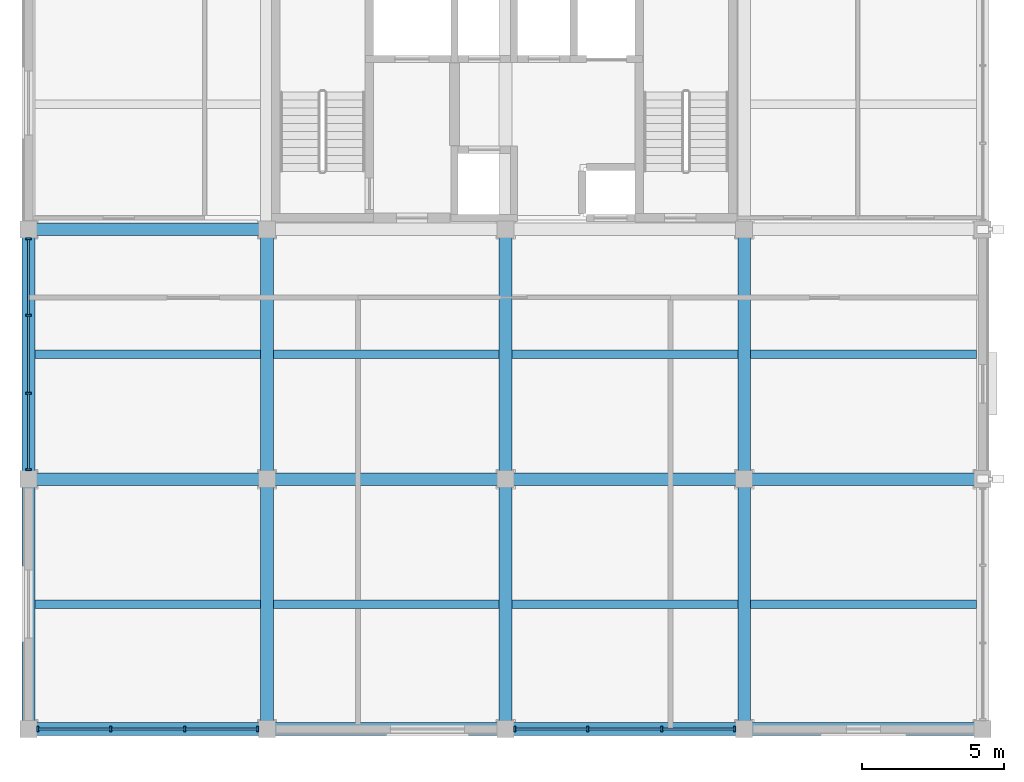
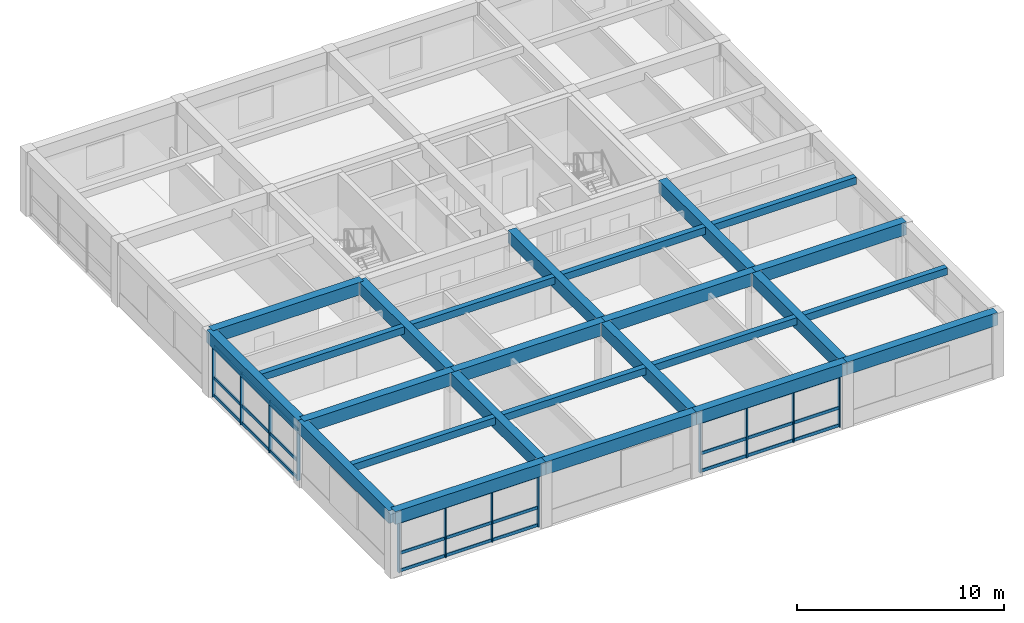
# One storey, part 2 of 12: 39 members, 25 beams, 3 elements without a shape of their own.
"""IFC4 building model written with IfcOpenShell, lengths in metres."""

from ifc_helpers import new_model, si_unit, direction, frame, origin, origin_2d, place, context, subcontext, project, spatial, rectangle, extrude, material, material_profile, profile_set, type_object, element, aggregate, save


model = new_model("IFC4")

# Units and contexts
model_context = context("Model", 3, precision=1e-05, world=origin(), true_north=direction((0.0, 1.0)))
body_context = subcontext(model_context, "Body", "Model", "MODEL_VIEW")
ifc_project = project(units=[si_unit("LENGTHUNIT", "METRE"), si_unit("AREAUNIT", "SQUARE_METRE"), si_unit("VOLUMEUNIT", "CUBIC_METRE"), si_unit("PLANEANGLEUNIT", "RADIAN"), si_unit("MASSUNIT", "GRAM", prefix="KILO")], contexts=[model_context])

# Site, building, storey
site_placement = place(None, origin())
site = spatial("IfcSite", under=ifc_project, at=site_placement, CompositionType="ELEMENT")
building_placement = place(site_placement, origin())
building = spatial("IfcBuilding", under=site, at=building_placement, Name="Kemercrest Conservatory and Botanical Centre", CompositionType="ELEMENT")
storey_placement = place(building_placement, frame((0.0, 0.0, 52.199951171875)))
storey = spatial("IfcBuildingStorey", under=building, at=storey_placement, Name="L13", CompositionType="ELEMENT", Elevation=52.199951171875)

# Beams
ifc_material_1 = material(Name="Concrete C40/50", Category="concrete")
ifc_material_profile_1 = material_profile(ifc_material_1, rectangle(XDim=0.449951171875, YDim=0.75, at=origin_2d()), Name="RC 450x750")
ifc_profile_set_1 = profile_set([ifc_material_profile_1], Name="Concrete C40/50")
beam_type_1 = type_object("IfcBeamType", Name="BM-RC75", PredefinedType="BEAM", material=ifc_profile_set_1)
beam_1_placement = place(storey_placement, frame((142.39990234375, 96.0, 3.425048828125), z_axis=(1.0, 0.0, 0.0), x_axis=(0.0, 1.0, 0.0)))
element("IfcBeam", 1, at=beam_1_placement, inside=storey, type_object=beam_type_1, Name="V4-L14 beam BM-RC75 L/17-18", PredefinedType="BEAM", context=body_context, shape_type="SweptSolid", body=[
    extrude(rectangle(XDim=0.449951171875, YDim=0.75, at=origin_2d()), origin(), (0.0, 0.0, 1.0), 8.400146484375),
])
beam_2_placement = place(storey_placement, frame((150.800048828125, 96.0, 3.425048828125), z_axis=(1.0, 0.0, 0.0), x_axis=(0.0, 1.0, 0.0)))
element("IfcBeam", 2, at=beam_2_placement, inside=storey, type_object=beam_type_1, Name="V4-L14 beam BM-RC75 L/18-19", PredefinedType="BEAM", context=body_context, shape_type="SweptSolid", body=[
    extrude(rectangle(XDim=0.449951171875, YDim=0.75, at=origin_2d()), origin(), (0.0, 0.0, 1.0), 8.39990234375),
])
beam_3_placement = place(storey_placement, frame((159.199951171875, 96.0, 3.425048828125), z_axis=(1.0, 0.0, 0.0), x_axis=(0.0, 1.0, 0.0)))
element("IfcBeam", 3, at=beam_3_placement, inside=storey, type_object=beam_type_1, Name="V4-L14 beam BM-RC75 L/19-20", PredefinedType="BEAM", context=body_context, shape_type="SweptSolid", body=[
    extrude(rectangle(XDim=0.449951171875, YDim=0.75, at=origin_2d()), origin(), (0.0, 0.0, 1.0), 8.400146484375),
])
beam_4_placement = place(storey_placement, frame((167.60009765625, 96.0, 3.425048828125), z_axis=(1.0, 0.0, 0.0), x_axis=(0.0, 1.0, 0.0)))
element("IfcBeam", 4, at=beam_4_placement, inside=storey, type_object=beam_type_1, Name="V4-L14 beam BM-RC75 L/20-21", PredefinedType="BEAM", context=body_context, shape_type="SweptSolid", body=[
    extrude(rectangle(XDim=0.449951171875, YDim=0.75, at=origin_2d()), origin(), (0.0, 0.0, 1.0), 8.39990234375),
])
beam_5_placement = place(storey_placement, frame((142.39990234375, 104.800048828125, 3.425048828125), z_axis=(1.0, 0.0, 0.0), x_axis=(0.0, 1.0, 0.0)))
element("IfcBeam", 5, at=beam_5_placement, inside=storey, type_object=beam_type_1, Name="V4-L14 beam BM-RC75 M/17-18", PredefinedType="BEAM", context=body_context, shape_type="SweptSolid", body=[
    extrude(rectangle(XDim=0.449951171875, YDim=0.75, at=origin_2d()), origin(), (0.0, 0.0, 1.0), 8.400146484375),
])
for number, where, z_axis, x_axis, name in (
    (6, (150.800048828125, 87.199951171875, 3.425048828125), (0.0, 1.0, 0.0), (-1.0, 0.0, 0.0), "V4-L14 beam BM-RC75 18/K-L"),
    (7, (150.800048828125, 96.0, 3.425048828125), (0.0, 1.0, 0.0), (-1.0, 0.0, 0.0), "V4-L14 beam BM-RC75 18/L-M"),
    (8, (159.199951171875, 87.199951171875, 3.425048828125), (0.0, 1.0, 0.0), (-1.0, 0.0, 0.0), "V4-L14 beam BM-RC75 19/K-L"),
    (9, (159.199951171875, 96.0, 3.425048828125), (0.0, 1.0, 0.0), (-1.0, 0.0, 0.0), "V4-L14 beam BM-RC75 19/L-M"),
    (10, (167.60009765625, 87.199951171875, 3.425048828125), (0.0, 1.0, 0.0), (-1.0, 0.0, 0.0), "V4-L14 beam BM-RC75 20/K-L"),
    (11, (167.60009765625, 96.0, 3.425048828125), (0.0, 1.0, 0.0), (-1.0, 0.0, 0.0), "V4-L14 beam BM-RC75 20/L-M"),
):
    element("IfcBeam", number, at=place(storey_placement, frame(where, z_axis=z_axis, x_axis=x_axis)), inside=storey, type_object=beam_type_1, Name=name, PredefinedType="BEAM", context=body_context, shape_type="SweptSolid", body=[
        extrude(rectangle(XDim=0.449951171875, YDim=0.75, at=origin_2d()), origin(), (0.0, 0.0, 1.0), 8.800048828125),
    ])

# Curtain wall, members
ifc_material_2 = material(Name="Thermally broken aluminium and triple low-e glazing", Category="aluminium")
curtain_wall_type_1 = type_object("IfcCurtainWallType", Name="CW-14", PredefinedType="USERDEFINED", material=ifc_material_2)
curtain_wall_1_placement = place(storey_placement, origin())
curtain_wall_1 = element("IfcCurtainWall", 12, at=curtain_wall_1_placement, inside=storey, type_object=curtain_wall_type_1, Name="Unitised curtain wall CW-14 (CW:L13:V4-133)", ObjectType="UNITISED CURTAIN WALL", PredefinedType="USERDEFINED")
ifc_material_3 = material(Name="Thermally broken anodized aluminium 6063-T6", Category="aluminium")
ifc_material_profile_2 = material_profile(ifc_material_3, rectangle(XDim=0.199951171875, YDim=0.06494140625, at=origin_2d()), Name="AL MULLION 65x200")
ifc_profile_set_2 = profile_set([ifc_material_profile_2], Name="Thermally broken anodized aluminium 6063-T6")
member_type_1 = type_object("IfcMemberType", Name="CW-M200", PredefinedType="MULLION", material=ifc_profile_set_2)
member_1_placement = place(storey_placement, frame((142.7275390625, 87.199951171875, 0.0), z_axis=(0.0, 0.0, 1.0), x_axis=(0.0, 1.0, 0.0)))
member_1 = element("IfcMember", 13, at=member_1_placement, type_object=member_type_1, Name="CW-14 mullion 1", PredefinedType="MULLION", context=body_context, shape_type="SweptSolid", body=[
    extrude(rectangle(XDim=0.199951171875, YDim=0.06494140625, at=origin_2d()), origin(), (0.0, 0.0, 1.0), 3.054931640625),
])
member_2_placement = place(storey_placement, frame((145.29833984375, 87.199951171875, 0.0), z_axis=(0.0, 0.0, 1.0), x_axis=(0.0, 1.0, 0.0)))
member_2 = element("IfcMember", 14, at=member_2_placement, type_object=member_type_1, Name="CW-14 mullion 2", PredefinedType="MULLION", context=body_context, shape_type="SweptSolid", body=[
    extrude(rectangle(XDim=0.199951171875, YDim=0.06494140625, at=origin_2d()), origin(), (0.0, 0.0, 1.0), 3.054931640625),
])
member_3_placement = place(storey_placement, frame((147.901611328125, 87.199951171875, 0.0), z_axis=(0.0, 0.0, 1.0), x_axis=(0.0, 1.0, 0.0)))
member_3 = element("IfcMember", 15, at=member_3_placement, type_object=member_type_1, Name="CW-14 mullion 3", PredefinedType="MULLION", context=body_context, shape_type="SweptSolid", body=[
    extrude(rectangle(XDim=0.199951171875, YDim=0.06494140625, at=origin_2d()), origin(), (0.0, 0.0, 1.0), 3.054931640625),
])
member_4_placement = place(storey_placement, frame((150.472412109375, 87.199951171875, 0.0), z_axis=(0.0, 0.0, 1.0), x_axis=(0.0, 1.0, 0.0)))
member_4 = element("IfcMember", 16, at=member_4_placement, type_object=member_type_1, Name="CW-14 mullion 4", PredefinedType="MULLION", context=body_context, shape_type="SweptSolid", body=[
    extrude(rectangle(XDim=0.199951171875, YDim=0.06494140625, at=origin_2d()), origin(), (0.0, 0.0, 1.0), 3.054931640625),
])

curtain_wall_type_2 = type_object("IfcCurtainWallType", Name="CW-15", PredefinedType="USERDEFINED", material=ifc_material_2)
curtain_wall_2_placement = place(storey_placement, origin())
curtain_wall_2 = element("IfcCurtainWall", 17, at=curtain_wall_2_placement, inside=storey, type_object=curtain_wall_type_2, Name="Unitised curtain wall CW-15 (CW:L13:V4-134)", ObjectType="UNITISED CURTAIN WALL", PredefinedType="USERDEFINED")
member_5_placement = place(storey_placement, frame((159.527587890625, 87.199951171875, 0.0), z_axis=(0.0, 0.0, 1.0), x_axis=(0.0, 1.0, 0.0)))
member_5 = element("IfcMember", 18, at=member_5_placement, type_object=member_type_1, Name="CW-15 mullion 1", PredefinedType="MULLION", context=body_context, shape_type="SweptSolid", body=[
    extrude(rectangle(XDim=0.199951171875, YDim=0.06494140625, at=origin_2d()), origin(), (0.0, 0.0, 1.0), 3.054931640625),
])
member_6_placement = place(storey_placement, frame((162.098388671875, 87.199951171875, 0.0), z_axis=(0.0, 0.0, 1.0), x_axis=(0.0, 1.0, 0.0)))
member_6 = element("IfcMember", 19, at=member_6_placement, type_object=member_type_1, Name="CW-15 mullion 2", PredefinedType="MULLION", context=body_context, shape_type="SweptSolid", body=[
    extrude(rectangle(XDim=0.199951171875, YDim=0.06494140625, at=origin_2d()), origin(), (0.0, 0.0, 1.0), 3.054931640625),
])
member_7_placement = place(storey_placement, frame((164.70166015625, 87.199951171875, 0.0), z_axis=(0.0, 0.0, 1.0), x_axis=(0.0, 1.0, 0.0)))
member_7 = element("IfcMember", 20, at=member_7_placement, type_object=member_type_1, Name="CW-15 mullion 3", PredefinedType="MULLION", context=body_context, shape_type="SweptSolid", body=[
    extrude(rectangle(XDim=0.199951171875, YDim=0.06494140625, at=origin_2d()), origin(), (0.0, 0.0, 1.0), 3.054931640625),
])
member_8_placement = place(storey_placement, frame((167.2724609375, 87.199951171875, 0.0), z_axis=(0.0, 0.0, 1.0), x_axis=(0.0, 1.0, 0.0)))
member_8 = element("IfcMember", 21, at=member_8_placement, type_object=member_type_1, Name="CW-15 mullion 4", PredefinedType="MULLION", context=body_context, shape_type="SweptSolid", body=[
    extrude(rectangle(XDim=0.199951171875, YDim=0.06494140625, at=origin_2d()), origin(), (0.0, 0.0, 1.0), 3.054931640625),
])

curtain_wall_type_3 = type_object("IfcCurtainWallType", Name="CW-19", PredefinedType="USERDEFINED", material=ifc_material_2)
curtain_wall_3_placement = place(storey_placement, origin())
curtain_wall_3 = element("IfcCurtainWall", 22, at=curtain_wall_3_placement, inside=storey, type_object=curtain_wall_type_3, Name="Unitised curtain wall CW-19 (CW:L13:V4-138)", ObjectType="UNITISED CURTAIN WALL", PredefinedType="USERDEFINED")
member_9_placement = place(storey_placement, frame((142.39990234375, 104.472412109375, 0.0), z_axis=(0.0, 0.0, 1.0), x_axis=(1.0, 0.0, 0.0)))
member_9 = element("IfcMember", 23, at=member_9_placement, type_object=member_type_1, Name="CW-19 mullion 1", PredefinedType="MULLION", context=body_context, shape_type="SweptSolid", body=[
    extrude(rectangle(XDim=0.199951171875, YDim=0.06494140625, at=origin_2d()), origin(), (0.0, 0.0, 1.0), 3.054931640625),
])
member_10_placement = place(storey_placement, frame((142.39990234375, 101.768310546875, 0.0), z_axis=(0.0, 0.0, 1.0), x_axis=(1.0, 0.0, 0.0)))
member_10 = element("IfcMember", 24, at=member_10_placement, type_object=member_type_1, Name="CW-19 mullion 2", PredefinedType="MULLION", context=body_context, shape_type="SweptSolid", body=[
    extrude(rectangle(XDim=0.199951171875, YDim=0.06494140625, at=origin_2d()), origin(), (0.0, 0.0, 1.0), 3.054931640625),
])
member_11_placement = place(storey_placement, frame((142.39990234375, 99.03173828125, 0.0), z_axis=(0.0, 0.0, 1.0), x_axis=(1.0, 0.0, 0.0)))
member_11 = element("IfcMember", 25, at=member_11_placement, type_object=member_type_1, Name="CW-19 mullion 3", PredefinedType="MULLION", context=body_context, shape_type="SweptSolid", body=[
    extrude(rectangle(XDim=0.199951171875, YDim=0.06494140625, at=origin_2d()), origin(), (0.0, 0.0, 1.0), 3.054931640625),
])
member_12_placement = place(storey_placement, frame((142.39990234375, 96.327392578125, 0.0), z_axis=(0.0, 0.0, 1.0), x_axis=(1.0, 0.0, 0.0)))
member_12 = element("IfcMember", 26, at=member_12_placement, type_object=member_type_1, Name="CW-19 mullion 4", PredefinedType="MULLION", context=body_context, shape_type="SweptSolid", body=[
    extrude(rectangle(XDim=0.199951171875, YDim=0.06494140625, at=origin_2d()), origin(), (0.0, 0.0, 1.0), 3.054931640625),
])

# Member
ifc_material_profile_3 = material_profile(ifc_material_3, rectangle(XDim=0.074951171875, YDim=0.179931640625, at=origin_2d()), Name="AL TRANSOM 75x180")
ifc_profile_set_3 = profile_set([ifc_material_profile_3], Name="Thermally broken anodized aluminium 6063-T6")
member_type_2 = type_object("IfcMemberType", Name="CW-T180", PredefinedType="USERDEFINED", material=ifc_profile_set_3)
member_13_placement = place(storey_placement, frame((142.760009765625, 87.199951171875, 0.090087890625), z_axis=(1.0, 0.0, 0.0), x_axis=(0.0, 1.0, 0.0)))
member_13 = element("IfcMember", 27, at=member_13_placement, type_object=member_type_2, Name="CW-14 transom 1.1", ObjectType="TRANSOM", PredefinedType="USERDEFINED", context=body_context, shape_type="SweptSolid", body=[
    extrude(rectangle(XDim=0.074951171875, YDim=0.179931640625, at=origin_2d()), origin(), (0.0, 0.0, 1.0), 2.505859375),
])

member_14_placement = place(storey_placement, frame((142.760009765625, 87.199951171875, 1.1201171875), z_axis=(1.0, 0.0, 0.0), x_axis=(0.0, 1.0, 0.0)))
member_14 = element("IfcMember", 28, at=member_14_placement, type_object=member_type_2, Name="CW-14 transom 1.2", ObjectType="TRANSOM", PredefinedType="USERDEFINED", context=body_context, shape_type="SweptSolid", body=[
    extrude(rectangle(XDim=0.074951171875, YDim=0.179931640625, at=origin_2d()), origin(), (0.0, 0.0, 1.0), 2.505859375),
])

member_15_placement = place(storey_placement, frame((142.760009765625, 87.199951171875, 2.965087890625), z_axis=(1.0, 0.0, 0.0), x_axis=(0.0, 1.0, 0.0)))
member_15 = element("IfcMember", 29, at=member_15_placement, type_object=member_type_2, Name="CW-14 transom 1.3", ObjectType="TRANSOM", PredefinedType="USERDEFINED", context=body_context, shape_type="SweptSolid", body=[
    extrude(rectangle(XDim=0.074951171875, YDim=0.179931640625, at=origin_2d()), origin(), (0.0, 0.0, 1.0), 2.505859375),
])

member_16_placement = place(storey_placement, frame((145.330810546875, 87.199951171875, 0.090087890625), z_axis=(1.0, 0.0, 0.0), x_axis=(0.0, 1.0, 0.0)))
member_16 = element("IfcMember", 30, at=member_16_placement, type_object=member_type_2, Name="CW-14 transom 2.1", ObjectType="TRANSOM", PredefinedType="USERDEFINED", context=body_context, shape_type="SweptSolid", body=[
    extrude(rectangle(XDim=0.074951171875, YDim=0.179931640625, at=origin_2d()), origin(), (0.0, 0.0, 1.0), 2.538330078125),
])

member_17_placement = place(storey_placement, frame((145.330810546875, 87.199951171875, 1.1201171875), z_axis=(1.0, 0.0, 0.0), x_axis=(0.0, 1.0, 0.0)))
member_17 = element("IfcMember", 31, at=member_17_placement, type_object=member_type_2, Name="CW-14 transom 2.2", ObjectType="TRANSOM", PredefinedType="USERDEFINED", context=body_context, shape_type="SweptSolid", body=[
    extrude(rectangle(XDim=0.074951171875, YDim=0.179931640625, at=origin_2d()), origin(), (0.0, 0.0, 1.0), 2.538330078125),
])

member_18_placement = place(storey_placement, frame((145.330810546875, 87.199951171875, 2.965087890625), z_axis=(1.0, 0.0, 0.0), x_axis=(0.0, 1.0, 0.0)))
member_18 = element("IfcMember", 32, at=member_18_placement, type_object=member_type_2, Name="CW-14 transom 2.3", ObjectType="TRANSOM", PredefinedType="USERDEFINED", context=body_context, shape_type="SweptSolid", body=[
    extrude(rectangle(XDim=0.074951171875, YDim=0.179931640625, at=origin_2d()), origin(), (0.0, 0.0, 1.0), 2.538330078125),
])

member_19_placement = place(storey_placement, frame((147.93408203125, 87.199951171875, 0.090087890625), z_axis=(1.0, 0.0, 0.0), x_axis=(0.0, 1.0, 0.0)))
member_19 = element("IfcMember", 33, at=member_19_placement, type_object=member_type_2, Name="CW-14 transom 3.1", ObjectType="TRANSOM", PredefinedType="USERDEFINED", context=body_context, shape_type="SweptSolid", body=[
    extrude(rectangle(XDim=0.074951171875, YDim=0.179931640625, at=origin_2d()), origin(), (0.0, 0.0, 1.0), 2.505859375),
])

member_20_placement = place(storey_placement, frame((147.93408203125, 87.199951171875, 1.1201171875), z_axis=(1.0, 0.0, 0.0), x_axis=(0.0, 1.0, 0.0)))
member_20 = element("IfcMember", 34, at=member_20_placement, type_object=member_type_2, Name="CW-14 transom 3.2", ObjectType="TRANSOM", PredefinedType="USERDEFINED", context=body_context, shape_type="SweptSolid", body=[
    extrude(rectangle(XDim=0.074951171875, YDim=0.179931640625, at=origin_2d()), origin(), (0.0, 0.0, 1.0), 2.505859375),
])

member_21_placement = place(storey_placement, frame((147.93408203125, 87.199951171875, 2.965087890625), z_axis=(1.0, 0.0, 0.0), x_axis=(0.0, 1.0, 0.0)))
member_21 = element("IfcMember", 35, at=member_21_placement, type_object=member_type_2, Name="CW-14 transom 3.3", ObjectType="TRANSOM", PredefinedType="USERDEFINED", context=body_context, shape_type="SweptSolid", body=[
    extrude(rectangle(XDim=0.074951171875, YDim=0.179931640625, at=origin_2d()), origin(), (0.0, 0.0, 1.0), 2.505859375),
])

aggregate(curtain_wall_1, [member_1, member_2, member_3, member_4, member_13, member_14, member_15, member_16, member_17, member_18, member_19, member_20, member_21])

member_22_placement = place(storey_placement, frame((159.56005859375, 87.199951171875, 0.090087890625), z_axis=(1.0, 0.0, 0.0), x_axis=(0.0, 1.0, 0.0)))
member_22 = element("IfcMember", 36, at=member_22_placement, type_object=member_type_2, Name="CW-15 transom 1.1", ObjectType="TRANSOM", PredefinedType="USERDEFINED", context=body_context, shape_type="SweptSolid", body=[
    extrude(rectangle(XDim=0.074951171875, YDim=0.179931640625, at=origin_2d()), origin(), (0.0, 0.0, 1.0), 2.505859375),
])

member_23_placement = place(storey_placement, frame((159.56005859375, 87.199951171875, 1.1201171875), z_axis=(1.0, 0.0, 0.0), x_axis=(0.0, 1.0, 0.0)))
member_23 = element("IfcMember", 37, at=member_23_placement, type_object=member_type_2, Name="CW-15 transom 1.2", ObjectType="TRANSOM", PredefinedType="USERDEFINED", context=body_context, shape_type="SweptSolid", body=[
    extrude(rectangle(XDim=0.074951171875, YDim=0.179931640625, at=origin_2d()), origin(), (0.0, 0.0, 1.0), 2.505859375),
])

member_24_placement = place(storey_placement, frame((159.56005859375, 87.199951171875, 2.965087890625), z_axis=(1.0, 0.0, 0.0), x_axis=(0.0, 1.0, 0.0)))
member_24 = element("IfcMember", 38, at=member_24_placement, type_object=member_type_2, Name="CW-15 transom 1.3", ObjectType="TRANSOM", PredefinedType="USERDEFINED", context=body_context, shape_type="SweptSolid", body=[
    extrude(rectangle(XDim=0.074951171875, YDim=0.179931640625, at=origin_2d()), origin(), (0.0, 0.0, 1.0), 2.505859375),
])

member_25_placement = place(storey_placement, frame((162.130859375, 87.199951171875, 0.090087890625), z_axis=(1.0, 0.0, 0.0), x_axis=(0.0, 1.0, 0.0)))
member_25 = element("IfcMember", 39, at=member_25_placement, type_object=member_type_2, Name="CW-15 transom 2.1", ObjectType="TRANSOM", PredefinedType="USERDEFINED", context=body_context, shape_type="SweptSolid", body=[
    extrude(rectangle(XDim=0.074951171875, YDim=0.179931640625, at=origin_2d()), origin(), (0.0, 0.0, 1.0), 2.538330078125),
])

member_26_placement = place(storey_placement, frame((162.130859375, 87.199951171875, 1.1201171875), z_axis=(1.0, 0.0, 0.0), x_axis=(0.0, 1.0, 0.0)))
member_26 = element("IfcMember", 40, at=member_26_placement, type_object=member_type_2, Name="CW-15 transom 2.2", ObjectType="TRANSOM", PredefinedType="USERDEFINED", context=body_context, shape_type="SweptSolid", body=[
    extrude(rectangle(XDim=0.074951171875, YDim=0.179931640625, at=origin_2d()), origin(), (0.0, 0.0, 1.0), 2.538330078125),
])

member_27_placement = place(storey_placement, frame((162.130859375, 87.199951171875, 2.965087890625), z_axis=(1.0, 0.0, 0.0), x_axis=(0.0, 1.0, 0.0)))
member_27 = element("IfcMember", 41, at=member_27_placement, type_object=member_type_2, Name="CW-15 transom 2.3", ObjectType="TRANSOM", PredefinedType="USERDEFINED", context=body_context, shape_type="SweptSolid", body=[
    extrude(rectangle(XDim=0.074951171875, YDim=0.179931640625, at=origin_2d()), origin(), (0.0, 0.0, 1.0), 2.538330078125),
])

member_28_placement = place(storey_placement, frame((164.734130859375, 87.199951171875, 0.090087890625), z_axis=(1.0, 0.0, 0.0), x_axis=(0.0, 1.0, 0.0)))
member_28 = element("IfcMember", 42, at=member_28_placement, type_object=member_type_2, Name="CW-15 transom 3.1", ObjectType="TRANSOM", PredefinedType="USERDEFINED", context=body_context, shape_type="SweptSolid", body=[
    extrude(rectangle(XDim=0.074951171875, YDim=0.179931640625, at=origin_2d()), origin(), (0.0, 0.0, 1.0), 2.505859375),
])

member_29_placement = place(storey_placement, frame((164.734130859375, 87.199951171875, 1.1201171875), z_axis=(1.0, 0.0, 0.0), x_axis=(0.0, 1.0, 0.0)))
member_29 = element("IfcMember", 43, at=member_29_placement, type_object=member_type_2, Name="CW-15 transom 3.2", ObjectType="TRANSOM", PredefinedType="USERDEFINED", context=body_context, shape_type="SweptSolid", body=[
    extrude(rectangle(XDim=0.074951171875, YDim=0.179931640625, at=origin_2d()), origin(), (0.0, 0.0, 1.0), 2.505859375),
])

member_30_placement = place(storey_placement, frame((164.734130859375, 87.199951171875, 2.965087890625), z_axis=(1.0, 0.0, 0.0), x_axis=(0.0, 1.0, 0.0)))
member_30 = element("IfcMember", 44, at=member_30_placement, type_object=member_type_2, Name="CW-15 transom 3.3", ObjectType="TRANSOM", PredefinedType="USERDEFINED", context=body_context, shape_type="SweptSolid", body=[
    extrude(rectangle(XDim=0.074951171875, YDim=0.179931640625, at=origin_2d()), origin(), (0.0, 0.0, 1.0), 2.505859375),
])

aggregate(curtain_wall_2, [member_5, member_6, member_7, member_8, member_22, member_23, member_24, member_25, member_26, member_27, member_28, member_29, member_30])

member_31_placement = place(storey_placement, frame((142.39990234375, 104.43994140625, 0.090087890625), z_axis=(0.0, -1.0, 0.0), x_axis=(1.0, 0.0, 0.0)))
member_31 = element("IfcMember", 45, at=member_31_placement, type_object=member_type_2, Name="CW-19 transom 1.1", ObjectType="TRANSOM", PredefinedType="USERDEFINED", context=body_context, shape_type="SweptSolid", body=[
    extrude(rectangle(XDim=0.074951171875, YDim=0.179931640625, at=origin_2d()), origin(), (0.0, 0.0, 1.0), 2.63916015625),
])

member_32_placement = place(storey_placement, frame((142.39990234375, 104.43994140625, 1.1201171875), z_axis=(0.0, -1.0, 0.0), x_axis=(1.0, 0.0, 0.0)))
member_32 = element("IfcMember", 46, at=member_32_placement, type_object=member_type_2, Name="CW-19 transom 1.2", ObjectType="TRANSOM", PredefinedType="USERDEFINED", context=body_context, shape_type="SweptSolid", body=[
    extrude(rectangle(XDim=0.074951171875, YDim=0.179931640625, at=origin_2d()), origin(), (0.0, 0.0, 1.0), 2.63916015625),
])

member_33_placement = place(storey_placement, frame((142.39990234375, 104.43994140625, 2.965087890625), z_axis=(0.0, -1.0, 0.0), x_axis=(1.0, 0.0, 0.0)))
member_33 = element("IfcMember", 47, at=member_33_placement, type_object=member_type_2, Name="CW-19 transom 1.3", ObjectType="TRANSOM", PredefinedType="USERDEFINED", context=body_context, shape_type="SweptSolid", body=[
    extrude(rectangle(XDim=0.074951171875, YDim=0.179931640625, at=origin_2d()), origin(), (0.0, 0.0, 1.0), 2.63916015625),
])

member_34_placement = place(storey_placement, frame((142.39990234375, 101.73583984375, 0.090087890625), z_axis=(0.0, -1.0, 0.0), x_axis=(1.0, 0.0, 0.0)))
member_34 = element("IfcMember", 48, at=member_34_placement, type_object=member_type_2, Name="CW-19 transom 2.1", ObjectType="TRANSOM", PredefinedType="USERDEFINED", context=body_context, shape_type="SweptSolid", body=[
    extrude(rectangle(XDim=0.074951171875, YDim=0.179931640625, at=origin_2d()), origin(), (0.0, 0.0, 1.0), 2.671630859375),
])

member_35_placement = place(storey_placement, frame((142.39990234375, 101.73583984375, 1.1201171875), z_axis=(0.0, -1.0, 0.0), x_axis=(1.0, 0.0, 0.0)))
member_35 = element("IfcMember", 49, at=member_35_placement, type_object=member_type_2, Name="CW-19 transom 2.2", ObjectType="TRANSOM", PredefinedType="USERDEFINED", context=body_context, shape_type="SweptSolid", body=[
    extrude(rectangle(XDim=0.074951171875, YDim=0.179931640625, at=origin_2d()), origin(), (0.0, 0.0, 1.0), 2.671630859375),
])

member_36_placement = place(storey_placement, frame((142.39990234375, 101.73583984375, 2.965087890625), z_axis=(0.0, -1.0, 0.0), x_axis=(1.0, 0.0, 0.0)))
member_36 = element("IfcMember", 50, at=member_36_placement, type_object=member_type_2, Name="CW-19 transom 2.3", ObjectType="TRANSOM", PredefinedType="USERDEFINED", context=body_context, shape_type="SweptSolid", body=[
    extrude(rectangle(XDim=0.074951171875, YDim=0.179931640625, at=origin_2d()), origin(), (0.0, 0.0, 1.0), 2.671630859375),
])

member_37_placement = place(storey_placement, frame((142.39990234375, 98.999267578125, 0.090087890625), z_axis=(0.0, -1.0, 0.0), x_axis=(1.0, 0.0, 0.0)))
member_37 = element("IfcMember", 51, at=member_37_placement, type_object=member_type_2, Name="CW-19 transom 3.1", ObjectType="TRANSOM", PredefinedType="USERDEFINED", context=body_context, shape_type="SweptSolid", body=[
    extrude(rectangle(XDim=0.074951171875, YDim=0.179931640625, at=origin_2d()), origin(), (0.0, 0.0, 1.0), 2.63916015625),
])

member_38_placement = place(storey_placement, frame((142.39990234375, 98.999267578125, 1.1201171875), z_axis=(0.0, -1.0, 0.0), x_axis=(1.0, 0.0, 0.0)))
member_38 = element("IfcMember", 52, at=member_38_placement, type_object=member_type_2, Name="CW-19 transom 3.2", ObjectType="TRANSOM", PredefinedType="USERDEFINED", context=body_context, shape_type="SweptSolid", body=[
    extrude(rectangle(XDim=0.074951171875, YDim=0.179931640625, at=origin_2d()), origin(), (0.0, 0.0, 1.0), 2.63916015625),
])

member_39_placement = place(storey_placement, frame((142.39990234375, 98.999267578125, 2.965087890625), z_axis=(0.0, -1.0, 0.0), x_axis=(1.0, 0.0, 0.0)))
member_39 = element("IfcMember", 53, at=member_39_placement, type_object=member_type_2, Name="CW-19 transom 3.3", ObjectType="TRANSOM", PredefinedType="USERDEFINED", context=body_context, shape_type="SweptSolid", body=[
    extrude(rectangle(XDim=0.074951171875, YDim=0.179931640625, at=origin_2d()), origin(), (0.0, 0.0, 1.0), 2.63916015625),
])

aggregate(curtain_wall_3, [member_9, member_10, member_11, member_12, member_31, member_32, member_33, member_34, member_35, member_36, member_37, member_38, member_39])

# Beams
ifc_material_profile_4 = material_profile(ifc_material_1, rectangle(XDim=0.300048828125, YDim=0.419921875, at=origin_2d()), Name="RC 300x420")
ifc_profile_set_4 = profile_set([ifc_material_profile_4], Name="Concrete C40/50")
beam_type_2 = type_object("IfcBeamType", Name="JS-RC42", PredefinedType="JOIST", material=ifc_profile_set_4)
beam_6_placement = place(storey_placement, frame((142.625, 91.60009765625, 3.590087890625), z_axis=(1.0, 0.0, 0.0), x_axis=(0.0, 1.0, 0.0)))
element("IfcBeam", 54, at=beam_6_placement, inside=storey, type_object=beam_type_2, Name="V4-L14 secondary joist JS-RC42", PredefinedType="JOIST", context=body_context, shape_type="SweptSolid", body=[
    extrude(rectangle(XDim=0.300048828125, YDim=0.419921875, at=origin_2d()), origin(), (0.0, 0.0, 1.0), 7.949951171875),
])
beam_7_placement = place(storey_placement, frame((151.02490234375, 91.60009765625, 3.590087890625), z_axis=(1.0, 0.0, 0.0), x_axis=(0.0, 1.0, 0.0)))
element("IfcBeam", 55, at=beam_7_placement, inside=storey, type_object=beam_type_2, Name="V4-L14 secondary joist JS-RC42", PredefinedType="JOIST", context=body_context, shape_type="SweptSolid", body=[
    extrude(rectangle(XDim=0.300048828125, YDim=0.419921875, at=origin_2d()), origin(), (0.0, 0.0, 1.0), 7.9501953125),
])
for number, where, z_axis, x_axis, name in (
    (56, (159.425048828125, 91.60009765625, 3.590087890625), (1.0, 0.0, 0.0), (0.0, 1.0, 0.0), "V4-L14 secondary joist JS-RC42"),
    (57, (167.824951171875, 91.60009765625, 3.590087890625), (1.0, 0.0, 0.0), (0.0, 1.0, 0.0), "V4-L14 secondary joist JS-RC42"),
    (58, (142.625, 100.39990234375, 3.590087890625), (1.0, 0.0, 0.0), (0.0, 1.0, 0.0), "V4-L14 secondary joist JS-RC42"),
):
    element("IfcBeam", number, at=place(storey_placement, frame(where, z_axis=z_axis, x_axis=x_axis)), inside=storey, type_object=beam_type_2, Name=name, PredefinedType="JOIST", context=body_context, shape_type="SweptSolid", body=[
        extrude(rectangle(XDim=0.300048828125, YDim=0.419921875, at=origin_2d()), origin(), (0.0, 0.0, 1.0), 7.949951171875),
    ])
beam_8_placement = place(storey_placement, frame((151.02490234375, 100.39990234375, 3.590087890625), z_axis=(1.0, 0.0, 0.0), x_axis=(0.0, 1.0, 0.0)))
element("IfcBeam", 59, at=beam_8_placement, inside=storey, type_object=beam_type_2, Name="V4-L14 secondary joist JS-RC42", PredefinedType="JOIST", context=body_context, shape_type="SweptSolid", body=[
    extrude(rectangle(XDim=0.300048828125, YDim=0.419921875, at=origin_2d()), origin(), (0.0, 0.0, 1.0), 7.9501953125),
])
for number, where, z_axis, x_axis, name in (
    (60, (159.425048828125, 100.39990234375, 3.590087890625), (1.0, 0.0, 0.0), (0.0, 1.0, 0.0), "V4-L14 secondary joist JS-RC42"),
    (61, (167.824951171875, 100.39990234375, 3.590087890625), (1.0, 0.0, 0.0), (0.0, 1.0, 0.0), "V4-L14 secondary joist JS-RC42"),
):
    element("IfcBeam", number, at=place(storey_placement, frame(where, z_axis=z_axis, x_axis=x_axis)), inside=storey, type_object=beam_type_2, Name=name, PredefinedType="JOIST", context=body_context, shape_type="SweptSolid", body=[
        extrude(rectangle(XDim=0.300048828125, YDim=0.419921875, at=origin_2d()), origin(), (0.0, 0.0, 1.0), 7.949951171875),
    ])
ifc_material_profile_5 = material_profile(ifc_material_1, rectangle(XDim=0.449951171875, YDim=0.75, at=origin_2d()), Name="RC 450x750")
ifc_profile_set_5 = profile_set([ifc_material_profile_5], Name="Concrete C40/50")
beam_type_3 = type_object("IfcBeamType", Name="SP-RC75", PredefinedType="SPANDREL", material=ifc_profile_set_5)
beam_9_placement = place(storey_placement, frame((142.39990234375, 87.199951171875, 3.425048828125), z_axis=(1.0, 0.0, 0.0), x_axis=(0.0, 1.0, 0.0)))
element("IfcBeam", 62, at=beam_9_placement, inside=storey, type_object=beam_type_3, Name="V4-L14 beam SP-RC75 K/17-18", PredefinedType="SPANDREL", context=body_context, shape_type="SweptSolid", body=[
    extrude(rectangle(XDim=0.449951171875, YDim=0.75, at=origin_2d()), origin(), (0.0, 0.0, 1.0), 8.400146484375),
])
beam_10_placement = place(storey_placement, frame((150.800048828125, 87.199951171875, 3.425048828125), z_axis=(1.0, 0.0, 0.0), x_axis=(0.0, 1.0, 0.0)))
element("IfcBeam", 63, at=beam_10_placement, inside=storey, type_object=beam_type_3, Name="V4-L14 beam SP-RC75 K/18-19", PredefinedType="SPANDREL", context=body_context, shape_type="SweptSolid", body=[
    extrude(rectangle(XDim=0.449951171875, YDim=0.75, at=origin_2d()), origin(), (0.0, 0.0, 1.0), 8.39990234375),
])
beam_11_placement = place(storey_placement, frame((159.199951171875, 87.199951171875, 3.425048828125), z_axis=(1.0, 0.0, 0.0), x_axis=(0.0, 1.0, 0.0)))
element("IfcBeam", 64, at=beam_11_placement, inside=storey, type_object=beam_type_3, Name="V4-L14 beam SP-RC75 K/19-20", PredefinedType="SPANDREL", context=body_context, shape_type="SweptSolid", body=[
    extrude(rectangle(XDim=0.449951171875, YDim=0.75, at=origin_2d()), origin(), (0.0, 0.0, 1.0), 8.400146484375),
])
beam_12_placement = place(storey_placement, frame((167.60009765625, 87.199951171875, 3.425048828125), z_axis=(1.0, 0.0, 0.0), x_axis=(0.0, 1.0, 0.0)))
element("IfcBeam", 65, at=beam_12_placement, inside=storey, type_object=beam_type_3, Name="V4-L14 beam SP-RC75 K/20-21", PredefinedType="SPANDREL", context=body_context, shape_type="SweptSolid", body=[
    extrude(rectangle(XDim=0.449951171875, YDim=0.75, at=origin_2d()), origin(), (0.0, 0.0, 1.0), 8.39990234375),
])
for number, where, z_axis, x_axis, name in (
    (66, (142.39990234375, 87.199951171875, 3.425048828125), (0.0, 1.0, 0.0), (-1.0, 0.0, 0.0), "V4-L14 beam SP-RC75 17/K-L"),
    (67, (142.39990234375, 96.0, 3.425048828125), (0.0, 1.0, 0.0), (-1.0, 0.0, 0.0), "V4-L14 beam SP-RC75 17/L-M"),
):
    element("IfcBeam", number, at=place(storey_placement, frame(where, z_axis=z_axis, x_axis=x_axis)), inside=storey, type_object=beam_type_3, Name=name, PredefinedType="SPANDREL", context=body_context, shape_type="SweptSolid", body=[
        extrude(rectangle(XDim=0.449951171875, YDim=0.75, at=origin_2d()), origin(), (0.0, 0.0, 1.0), 8.800048828125),
    ])

save(model, "model.ifc")
